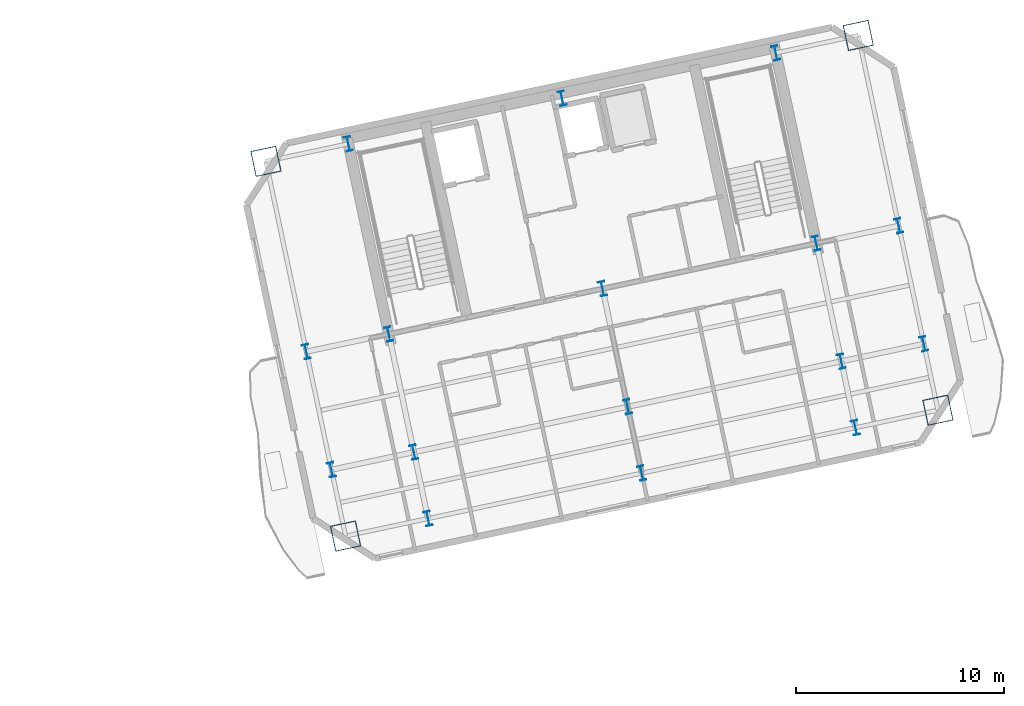
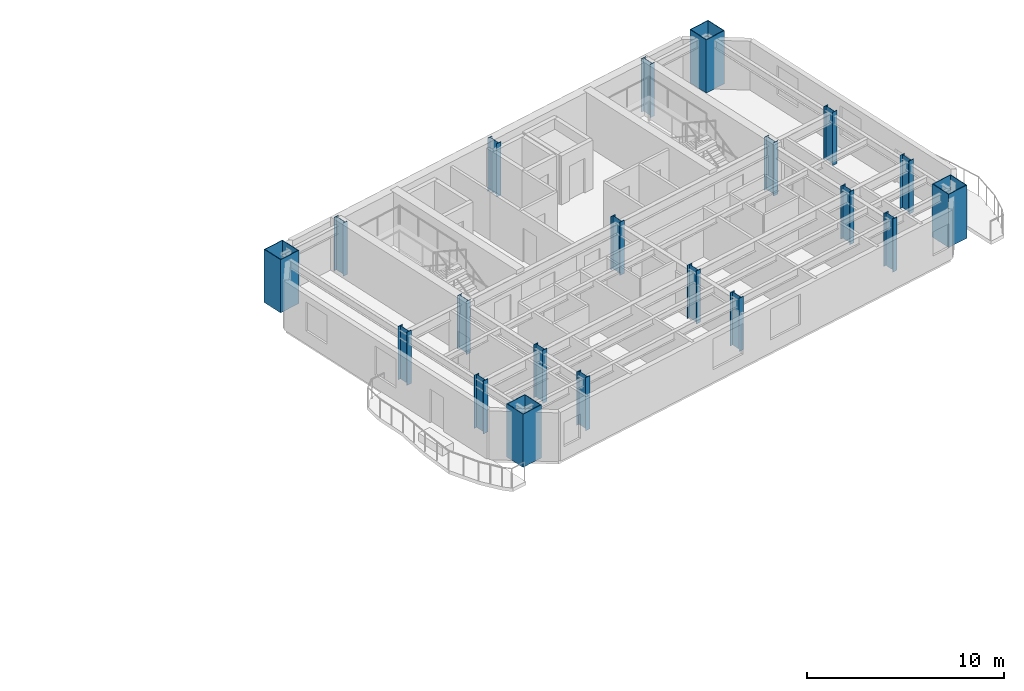
# One storey, part 2 of 14: 20 columns.
"""IFC4 building model written with IfcOpenShell, lengths in metres."""

from ifc_helpers import new_model, si_unit, direction, frame, origin, origin_2d, place, context, subcontext, project, spatial, hollow_rectangle, i_section, extrude, material, material_profile, profile_set, type_object, element, save


model = new_model("IFC4")

# Units and contexts
model_context = context("Model", 3, precision=1e-05, world=origin(), true_north=direction((0.0, 1.0)))
body_context = subcontext(model_context, "Body", "Model", "MODEL_VIEW")
ifc_project = project(units=[si_unit("LENGTHUNIT", "METRE"), si_unit("AREAUNIT", "SQUARE_METRE"), si_unit("VOLUMEUNIT", "CUBIC_METRE"), si_unit("PLANEANGLEUNIT", "RADIAN"), si_unit("MASSUNIT", "GRAM", prefix="KILO")], contexts=[model_context])

# Site, building, storey
site_placement = place(None, origin())
site = spatial("IfcSite", under=ifc_project, at=site_placement, CompositionType="ELEMENT")
building_placement = place(site_placement, origin())
building = spatial("IfcBuilding", under=site, at=building_placement, Name="Haevon Station Towers", CompositionType="ELEMENT")
storey_placement = place(building_placement, frame((0.0, 0.0, 169.199951171875)))
storey = spatial("IfcBuildingStorey", under=building, at=storey_placement, Name="L46", CompositionType="ELEMENT", Elevation=169.199951171875)

# Columns
ifc_material_1 = material(Name="Steel S460", Category="steel")
ifc_material_profile_1 = material_profile(ifc_material_1, hollow_rectangle(XDim=1.25, YDim=1.25, WallThickness=0.034912109375, at=origin_2d()), Name="BOX-1250x1250x35")
ifc_profile_set_1 = profile_set([ifc_material_profile_1], Name="Steel S460")
column_type_1 = type_object("IfcColumnType", Name="COL-MC4", PredefinedType="COLUMN", material=ifc_profile_set_1)
for number, where, z_axis, x_axis, name in (
    (1, (96.674560546875, 27.73828125, 0.0), (0.0, 0.0, 1.0), (0.978147600734, 0.207911690818, 0.0), "COL-T2-L46-01-01"),
    (2, (92.846923828125, 45.74609375, 0.0), (0.0, 0.0, 1.0), (0.978147600734, 0.207911690818, 0.0), "COL-T2-L46-01-04"),
    (3, (125.138671875, 33.78857421875, 0.0), (0.0, 0.0, 1.0), (0.978147600734, 0.207911690818, 0.0), "COL-T2-L46-05-01"),
    (4, (121.31103515625, 51.79638671875, 0.0), (0.0, 0.0, 1.0), (0.978147600734, 0.207911690818, 0.0), "COL-T2-L46-05-04"),
):
    element("IfcColumn", number, at=place(storey_placement, frame(where, z_axis=z_axis, x_axis=x_axis)), inside=storey, type_object=column_type_1, Name=name, PredefinedType="COLUMN", context=body_context, shape_type="SweptSolid", body=[
        extrude(hollow_rectangle(XDim=1.25, YDim=1.25, WallThickness=0.034912109375, at=origin_2d()), origin(), (0.0, 0.0, 1.0), 3.300048828125),
    ])
ifc_material_2 = material(Name="Steel S355", Category="steel")
ifc_material_profile_2 = material_profile(ifc_material_2, i_section(OverallWidth=0.300048828125, OverallDepth=0.699951171875, WebThickness=0.01611328125, FlangeThickness=0.028076171875, at=origin_2d()), Name="H-700x300x16x28")
ifc_profile_set_2 = profile_set([ifc_material_profile_2], Name="Steel S355")
column_type_2 = type_object("IfcColumnType", Name="COL-TW3", PredefinedType="COLUMN", material=ifc_profile_set_2)
for number, where, z_axis, x_axis, name in (
    (5, (95.996826171875, 30.927001953125, 0.0), (0.0, 0.0, 1.0), (0.978147600734, 0.207911690818, 0.0), "COL-T2-L46-01-02"),
    (6, (94.790771484375, 36.600341796875, 0.0), (0.0, 0.0, 1.0), (0.978147600734, 0.207911690818, 0.0), "COL-T2-L46-01-03"),
    (7, (100.635986328125, 28.580322265625, 0.0), (0.0, 0.0, 1.0), (0.978147600734, 0.207911690818, 0.0), "COL-T2-L46-02-01"),
    (8, (99.958251953125, 31.76904296875, 0.0), (0.0, 0.0, 1.0), (0.978147600734, 0.207911690818, 0.0), "COL-T2-L46-02-02"),
    (9, (98.75244140625, 37.4423828125, 0.0), (0.0, 0.0, 1.0), (0.978147600734, 0.207911690818, 0.0), "COL-T2-L46-02-03"),
    (10, (96.808349609375, 46.588134765625, 0.0), (0.0, 0.0, 1.0), (0.978147600734, 0.207911690818, 0.0), "COL-T2-L46-02-04"),
    (11, (110.906494140625, 30.763427734375, 0.0), (0.0, 0.0, 1.0), (0.978147600734, 0.207911690818, 0.0), "COL-T2-L46-03-01"),
    (12, (110.228759765625, 33.9521484375, 0.0), (0.0, 0.0, 1.0), (0.978147600734, 0.207911690818, 0.0), "COL-T2-L46-03-02"),
    (13, (109.02294921875, 39.62548828125, 0.0), (0.0, 0.0, 1.0), (0.978147600734, 0.207911690818, 0.0), "COL-T2-L46-03-03"),
    (14, (107.078857421875, 48.771240234375, 0.0), (0.0, 0.0, 1.0), (0.978147600734, 0.207911690818, 0.0), "COL-T2-L46-03-04"),
    (15, (121.17724609375, 32.946533203125, 0.0), (0.0, 0.0, 1.0), (0.978147600734, 0.207911690818, 0.0), "COL-T2-L46-04-01"),
    (16, (120.499267578125, 36.13525390625, 0.0), (0.0, 0.0, 1.0), (0.978147600734, 0.207911690818, 0.0), "COL-T2-L46-04-02"),
    (17, (119.29345703125, 41.80859375, 0.0), (0.0, 0.0, 1.0), (0.978147600734, 0.207911690818, 0.0), "COL-T2-L46-04-03"),
    (18, (117.349365234375, 50.954345703125, 0.0), (0.0, 0.0, 1.0), (0.978147600734, 0.207911690818, 0.0), "COL-T2-L46-04-04"),
    (19, (124.4609375, 36.977294921875, 0.0), (0.0, 0.0, 1.0), (0.978147600734, 0.207911690818, 0.0), "COL-T2-L46-05-02"),
    (20, (123.2548828125, 42.650634765625, 0.0), (0.0, 0.0, 1.0), (0.978147600734, 0.207911690818, 0.0), "COL-T2-L46-05-03"),
):
    element("IfcColumn", number, at=place(storey_placement, frame(where, z_axis=z_axis, x_axis=x_axis)), inside=storey, type_object=column_type_2, Name=name, PredefinedType="COLUMN", context=body_context, shape_type="SweptSolid", body=[
        extrude(i_section(OverallWidth=0.300048828125, OverallDepth=0.699951171875, WebThickness=0.01611328125, FlangeThickness=0.028076171875, at=origin_2d()), origin(), (0.0, 0.0, 1.0), 3.300048828125),
    ])

save(model, "model.ifc")
